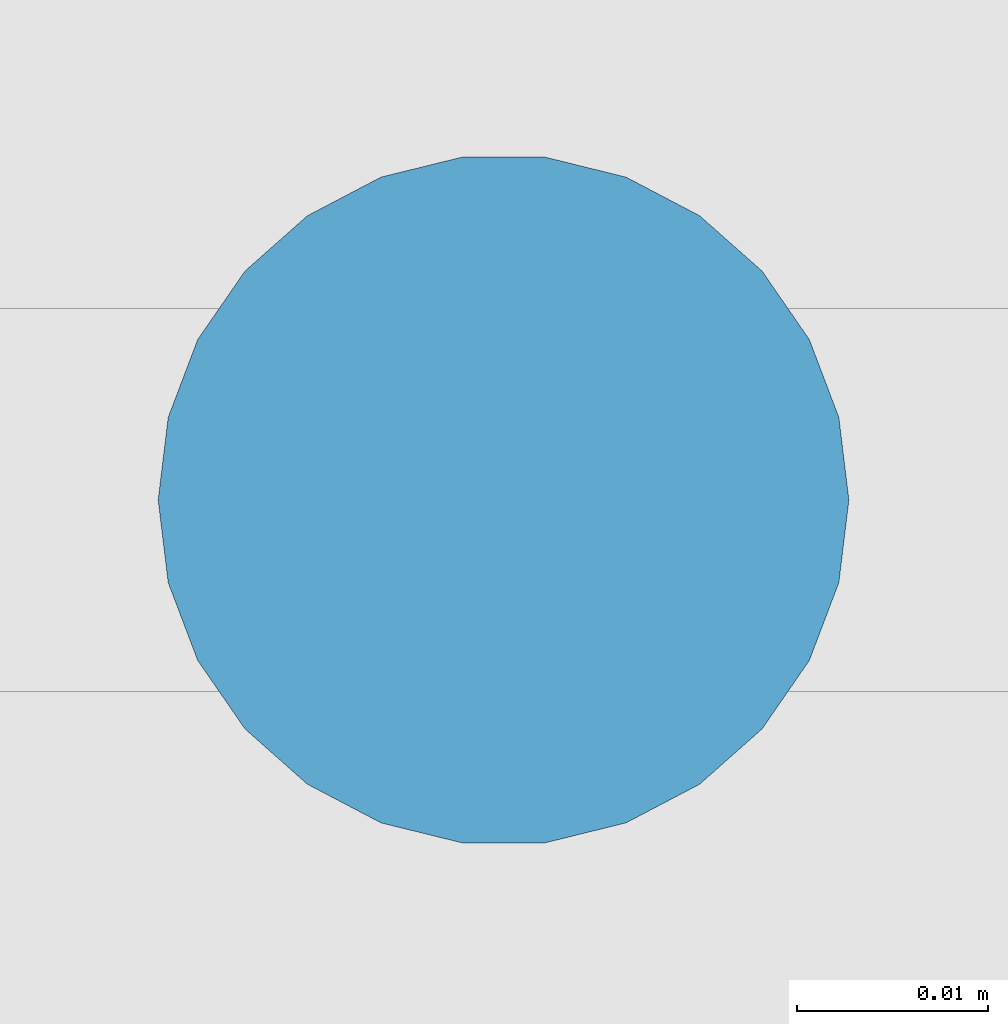
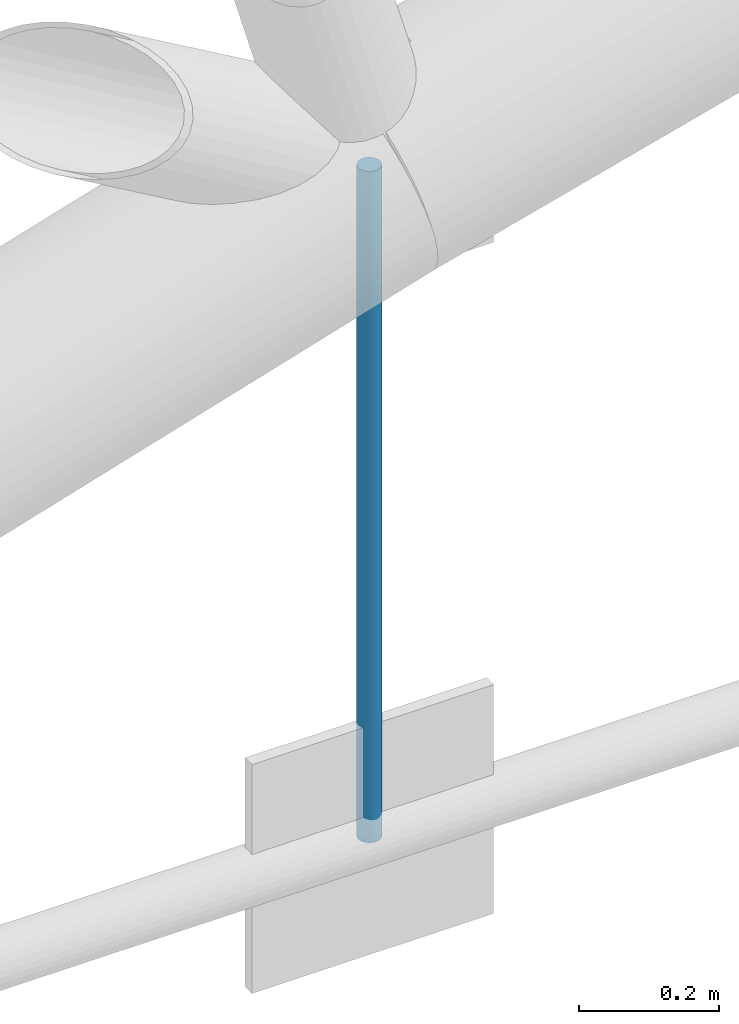
# One storey, part 54 of 321: 1 member.
"""IFC4 building model written with IfcOpenShell, lengths in metres."""

import ifcopenshell
import ifcopenshell.guid

model = None  # the IFC model being written
_history = None  # IfcOwnerHistory: only IFC2X3 demands one
_inside = {}  # id of a spatial element -> (the spatial element, [elements in it])
_under = {}  # id of a project, library or spatial element -> (it, [spatial elements below it])
_declared = {}  # id of a project -> (the project, [libraries it declares])
_typed = {}  # id of a type object -> (the type object, [elements of that type])
_made_of = {}  # id of a material, layer set ... -> (it, [elements and type objects made of it])


def new_model(schema):
    """Start an empty IFC model of exactly this schema.

    Asked for "IFC4X3", IfcOpenShell would pick the latest addendum, in which some entities
    have other attributes; the version numbers below select the first issue.
    IFC2X3 requires an IfcOwnerHistory on every rooted entity: one is made here for all.
    """
    global model, _history
    if schema == "IFC4X3":
        model = ifcopenshell.file(schema_version=(4, 3, 0, 0))
    else:
        model = ifcopenshell.file(schema=schema)
    _inside.clear()
    _under.clear()
    _declared.clear()
    _typed.clear()
    _made_of.clear()
    _history = None
    if model.schema == "IFC2X3":
        org = make("IfcOrganization", Name="unknown")
        user = make(
            "IfcPersonAndOrganization",
            ThePerson=make("IfcPerson", FamilyName="unknown"),
            TheOrganization=org,
        )
        app = make(
            "IfcApplication",
            ApplicationDeveloper=org,
            Version="unknown",
            ApplicationFullName="unknown",
            ApplicationIdentifier="unknown",
        )
        _history = make(
            "IfcOwnerHistory",
            OwningUser=user,
            OwningApplication=app,
            ChangeAction="ADDED",
            CreationDate=0,
        )
    return model


def make(cls, **values):
    """One entity of the class cls with the attributes given. An attribute that is None is left unset."""
    return model.create_entity(
        cls, **{name: value for name, value in values.items() if value is not None}
    )


def rooted(cls, **values):
    """An entity with a GlobalId (a new one), such as an element, a storey or a relation."""
    return make(cls, GlobalId=ifcopenshell.guid.new(), OwnerHistory=_history, **values)


def si_unit(unit_type, name, prefix=None):
    """IfcSIUnit, for example si_unit("LENGTHUNIT", "METRE", prefix="MILLI")."""
    return make("IfcSIUnit", UnitType=unit_type, Prefix=prefix, Name=name)


def assignment(units):
    """IfcUnitAssignment: the units of a project."""
    return None if units is None else make("IfcUnitAssignment", Units=units)


def point(xyz):
    """IfcCartesianPoint."""
    return None if xyz is None else make("IfcCartesianPoint", Coordinates=xyz)


def direction(xyz):
    """IfcDirection."""
    return None if xyz is None else make("IfcDirection", DirectionRatios=xyz)


def frame(location, z_axis=None, x_axis=None):
    """IfcAxis2Placement3D, a coordinate frame: its origin and axes. An axis left out is left unset."""
    return make(
        "IfcAxis2Placement3D",
        Location=point(location),
        Axis=direction(z_axis),
        RefDirection=direction(x_axis),
    )


def frame_2d(location, x_axis=None):
    """IfcAxis2Placement2D, a coordinate frame in the plane: its origin and x axis."""
    return make(
        "IfcAxis2Placement2D", Location=point(location), RefDirection=direction(x_axis)
    )


def origin():
    """The frame at (0, 0, 0) with its axes left unset."""
    return frame((0.0, 0.0, 0.0))


def origin_2d():
    """The frame at (0, 0) in the plane with its x axis left unset."""
    return frame_2d((0.0, 0.0))


def place(relative_to, where):
    """IfcLocalPlacement: puts the frame where relative to a parent placement (None: the world)."""
    return make(
        "IfcLocalPlacement", PlacementRelTo=relative_to, RelativePlacement=where
    )


def context(
    kind, dimensions, precision=None, world=None, true_north=None, identifier=None
):
    """IfcGeometricRepresentationContext, for example the 3D "Model" context."""
    return make(
        "IfcGeometricRepresentationContext",
        ContextIdentifier=identifier,
        ContextType=kind,
        CoordinateSpaceDimension=dimensions,
        Precision=precision,
        WorldCoordinateSystem=world,
        TrueNorth=true_north,
    )


def subcontext(parent, identifier, kind, view, scale=None):
    """IfcGeometricRepresentationSubContext, for example "Body" below "Model"."""
    return make(
        "IfcGeometricRepresentationSubContext",
        ContextIdentifier=identifier,
        ContextType=kind,
        ParentContext=parent,
        TargetScale=scale,
        TargetView=view,
    )


def project(units=None, contexts=None):
    """IfcProject with its units and contexts."""
    return rooted(
        "IfcProject",
        Name="project",
        RepresentationContexts=contexts,
        UnitsInContext=assignment(units),
    )


def spatial(cls, under=None, at=None, **own):
    """A site, building, storey or space (cls), placed at a placement, below another one or the project."""
    s = rooted(cls, ObjectPlacement=at, **own)
    if under is not None:
        _under.setdefault(under.id(), (under, []))[1].append(s)
    return s


def profile(cls, at=None, kind="AREA", **sizes):
    """A parametric profile (cls). Its sizes go by their IFC names, for example OverallWidth=200.0."""
    return make(cls, ProfileType=kind, Position=at, **sizes)


def circle(**sizes):
    """IfcCircleProfileDef."""
    return profile("IfcCircleProfileDef", **sizes)


def extrude(swept, where, along, depth):
    """IfcExtrudedAreaSolid: the profile swept, set in the frame where, extruded along a direction by depth."""
    return make(
        "IfcExtrudedAreaSolid",
        SweptArea=swept,
        Position=where,
        ExtrudedDirection=direction(along),
        Depth=depth,
    )


def shape(context_of_items, identifier, shape_type, items):
    """IfcShapeRepresentation: the items that make up one representation, for example the "Body"."""
    return make(
        "IfcShapeRepresentation",
        ContextOfItems=context_of_items,
        RepresentationIdentifier=identifier,
        RepresentationType=shape_type,
        Items=items,
    )


def material(Name=None, Category=None):
    """IfcMaterial."""
    return make("IfcMaterial", Name=Name, Category=Category)


def material_profile(
    of_material, cross_section, Name=None, Category=None, Priority=None
):
    """IfcMaterialProfile: a cross section and its material."""
    return make(
        "IfcMaterialProfile",
        Name=Name,
        Material=of_material,
        Profile=cross_section,
        Priority=Priority,
        Category=Category,
    )


def profile_set(profiles, Name=None, composite=None):
    """IfcMaterialProfileSet."""
    return make(
        "IfcMaterialProfileSet",
        Name=Name,
        MaterialProfiles=profiles,
        CompositeProfile=composite,
    )


def made_of(thing, what):
    """Note that an element or type object is made of a material, layer set ...; save() writes the relation."""
    if what is not None:
        _made_of.setdefault(what.id(), (what, []))[1].append(thing)
    return thing


def type_object(cls, material=None, **own):
    """A type object (cls), such as IfcWallType, which elements share."""
    return made_of(rooted(cls, **own), material)


def element(
    cls,
    number,
    at=None,
    inside=None,
    cuts=None,
    type_object=None,
    material=None,
    context=None,
    identifier="Body",
    shape_type=None,
    held_by="IfcProductDefinitionShape",
    body=None,
    shapes=None,
    **own,
):
    """One element of the class cls, such as IfcWall. Its Tag is "e" and its number.

    at: its placement. inside: the storey or other place that contains it. cuts: it is an
    opening in that element (IfcRelVoidsElement). A single representation is given by context,
    identifier, shape_type and body (its items); several are given by shapes. held_by: the class
    of the entity that holds the representations. save() writes the other relations.
    """
    e = rooted(cls, Tag="e%d" % number, ObjectPlacement=at, **own)
    if body is not None:
        shapes = [shape(context, identifier, shape_type, body)]
    if shapes is not None:
        e.Representation = make(held_by, Representations=shapes)
    if inside is not None:
        _inside.setdefault(inside.id(), (inside, []))[1].append(e)
    if cuts is not None:
        rooted(
            "IfcRelVoidsElement", RelatingBuildingElement=cuts, RelatedOpeningElement=e
        )
    if type_object is not None:
        _typed.setdefault(type_object.id(), (type_object, []))[1].append(e)
    return made_of(e, material)


def aggregate(whole, parts):
    """IfcRelAggregates: a whole, such as a stair, and the parts it consists of."""
    return rooted("IfcRelAggregates", RelatingObject=whole, RelatedObjects=parts)


def save(model, path):
    """Write the relations noted so far, then the file.

    IfcRelAggregates (storeys below a building ...), IfcRelContainedInSpatialStructure (elements
    in a storey), IfcRelDefinesByType, IfcRelAssociatesMaterial and IfcRelDeclares: one each for
    every whole, place, type object, material and project.
    """
    for whole, parts in _under.values():
        aggregate(whole, parts)
    for where, things in _inside.values():
        rooted(
            "IfcRelContainedInSpatialStructure",
            RelatedElements=things,
            RelatingStructure=where,
        )
    for kind, things in _typed.values():
        rooted("IfcRelDefinesByType", RelatedObjects=things, RelatingType=kind)
    for what, things in _made_of.values():
        rooted("IfcRelAssociatesMaterial", RelatedObjects=things, RelatingMaterial=what)
    for by, libraries in _declared.values():
        rooted("IfcRelDeclares", RelatingContext=by, RelatedDefinitions=libraries)
    model.write(path)


model = new_model("IFC4")

# Units and contexts
model_context = context("Model", 3, precision=1e-05, world=origin(), true_north=direction((0.0, 1.0)))
body_context = subcontext(model_context, "Body", "Model", "MODEL_VIEW")
ifc_project = project(units=[si_unit("LENGTHUNIT", "METRE"), si_unit("AREAUNIT", "SQUARE_METRE"), si_unit("VOLUMEUNIT", "CUBIC_METRE"), si_unit("PLANEANGLEUNIT", "RADIAN"), si_unit("MASSUNIT", "GRAM", prefix="KILO")], contexts=[model_context])

# Site, building, storey
site_placement = place(None, origin())
site = spatial("IfcSite", under=ifc_project, at=site_placement, CompositionType="ELEMENT")
building_placement = place(site_placement, origin())
building = spatial("IfcBuilding", under=site, at=building_placement, Name="Ravi Spectrum Wholesale Market", CompositionType="ELEMENT")
storey_placement = place(building_placement, frame((0.0, 0.0, 10.800048828125)))
storey = spatial("IfcBuildingStorey", under=building, at=storey_placement, Name="L02", CompositionType="ELEMENT", Elevation=10.800048828125)

# Member
ifc_material = material(Name="Steel S355", Category="steel")
ifc_material_profile = material_profile(ifc_material, circle(Radius=0.01806640625, at=origin_2d()))
ifc_profile_set = profile_set([ifc_material_profile], Name="Steel S355")
member_type = type_object("IfcMemberType", Name="ROD 36 hanger", PredefinedType="STRUT", material=ifc_profile_set)
member_placement = place(storey_placement, frame((43.88427734375, 78.0, 0.0), z_axis=(0.0, 0.0, 1.0), x_axis=(1.0, 0.0, 0.0)))
element("IfcMember", 1, at=member_placement, inside=storey, type_object=member_type, Name="H1-MB-L02-419", PredefinedType="STRUT", context=body_context, shape_type="SweptSolid", body=[
    extrude(circle(Radius=0.01806640625, at=origin_2d()), origin(), (0.0, 0.0, 1.0), 1.173095703125),
])

save(model, "model.ifc")
